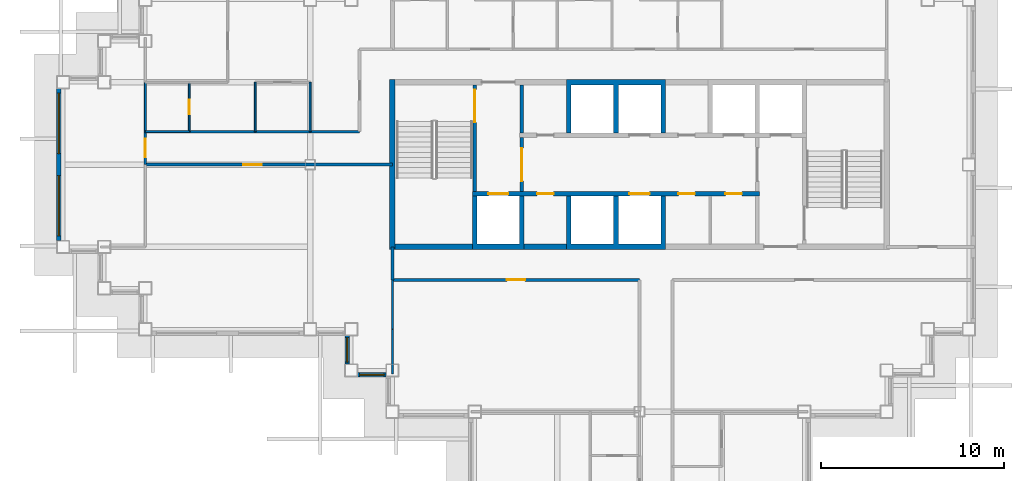
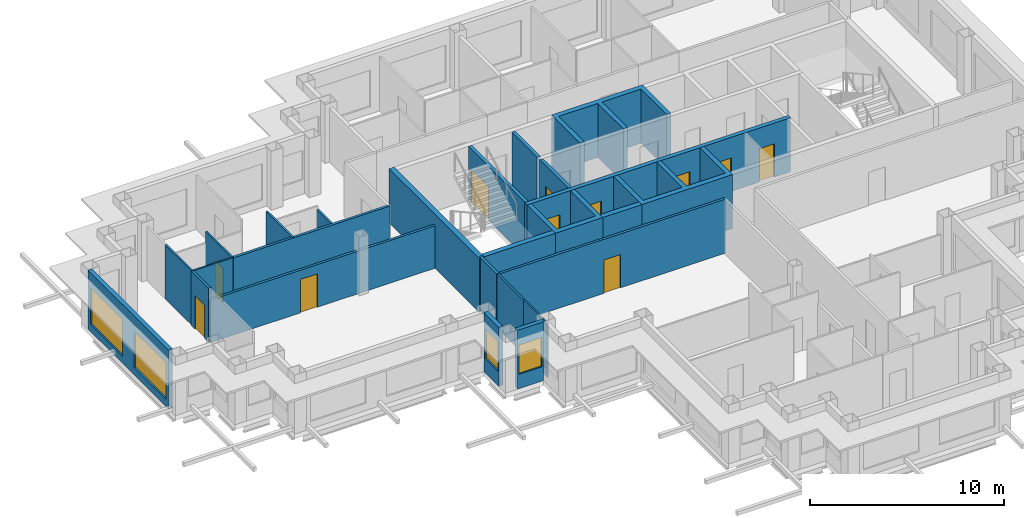
# One storey, part 3 of 12: 25 walls, 11 doors, 4 windows, 15 openings.
"""IFC4 building model written with IfcOpenShell, lengths in metres."""

from ifc_helpers import new_model, si_unit, direction, frame, frame_2d, origin, place, context, subcontext, project, spatial, polyline, rectangle, outline, extrude, material, layer, layer_set, type_object, element, fill, save


model = new_model("IFC4")

# Units and contexts
model_context = context("Model", 3, precision=1e-05, world=origin(), true_north=direction((0.0, 1.0)))
body_context = subcontext(model_context, "Body", "Model", "MODEL_VIEW")
ifc_project = project(units=[si_unit("LENGTHUNIT", "METRE"), si_unit("AREAUNIT", "SQUARE_METRE"), si_unit("VOLUMEUNIT", "CUBIC_METRE"), si_unit("PLANEANGLEUNIT", "RADIAN"), si_unit("MASSUNIT", "GRAM", prefix="KILO")], contexts=[model_context])

# Site, building, storey
site_placement = place(None, origin())
site = spatial("IfcSite", under=ifc_project, at=site_placement, CompositionType="ELEMENT")
building_placement = place(site_placement, origin())
building = spatial("IfcBuilding", under=site, at=building_placement, Name="Caravel Reach Hotel and Residences", CompositionType="ELEMENT")
storey_placement = place(building_placement, frame((0.0, 0.0, 203.5)))
storey = spatial("IfcBuildingStorey", under=building, at=storey_placement, Name="L51", CompositionType="ELEMENT", Elevation=203.5)

# Walls
ifc_material_1 = material(Name="Gypsum board on steel stud", Category="steel")
ifc_layer_1 = layer(ifc_material_1, 0.10009765625)
ifc_layer_set_1 = layer_set([ifc_layer_1], Name="Bathroom pod wall 100 mm")
wall_type_1 = type_object("IfcWallType", Name="Bathroom pod wall 100 mm", PredefinedType="PARTITIONING", material=ifc_layer_set_1)
wall_1_placement = place(storey_placement, frame((4.5, 28.800048828125, 0.0), z_axis=(0.0, 0.0, 1.0), x_axis=(1.0, 0.0, 0.0)))
element("IfcWall", 1, at=wall_1_placement, inside=storey, type_object=wall_type_1, Name="L51 wall w066", PredefinedType="PARTITIONING", context=body_context, shape_type="SweptSolid", body=[
    extrude(rectangle(XDim=2.39990234375, YDim=0.10009765625, at=frame_2d((1.199951171875, 0.0))), origin(), (0.0, 0.0, 1.0), 3.39990234375),
])
wall_2_placement = place(storey_placement, frame((4.5, 28.800048828125, 0.0), z_axis=(0.0, 0.0, 1.0), x_axis=(0.0, 1.0, 0.0)))
element("IfcWall", 2, at=wall_2_placement, inside=storey, type_object=wall_type_1, Name="L51 wall w082", PredefinedType="PARTITIONING", context=body_context, shape_type="SweptSolid", body=[
    extrude(rectangle(XDim=2.699951171875, YDim=0.10009765625, at=frame_2d((1.35009765625, 0.0))), origin(), (0.0, 0.0, 1.0), 3.39990234375),
])

# Wall, opening, door
wall_3_placement = place(storey_placement, frame((6.89990234375, 28.800048828125, 0.0), z_axis=(0.0, 0.0, 1.0), x_axis=(0.0, 1.0, 0.0)))
wall_3 = element("IfcWall", 3, at=wall_3_placement, inside=storey, type_object=wall_type_1, Name="L51 wall w083", PredefinedType="PARTITIONING", context=body_context, shape_type="SweptSolid", body=[
    extrude(rectangle(XDim=2.699951171875, YDim=0.10009765625, at=frame_2d((1.35009765625, 0.0))), origin(), (0.0, 0.0, 1.0), 3.39990234375),
])
opening_1_placement = place(wall_3_placement, frame((0.949951171875, 0.0, 0.0)))
opening_1 = element("IfcOpeningElement", 4, at=opening_1_placement, cuts=wall_3, Name="Opening D51-027", PredefinedType="OPENING", context=body_context, shape_type="SweptSolid", body=[
    extrude(rectangle(XDim=0.800048828125, YDim=2.10009765625, at=frame_2d((0.39990234375, 1.050048828125))), frame((0.0, 0.06005859375, 0.0), z_axis=(0.0, -1.0, 0.0), x_axis=(1.0, 0.0, 0.0)), (0.0, 0.0, 1.0), 0.1201171875),
])
ifc_material_2 = material(Name="Timber and steel door leaf", Category="steel")
door_type_1 = type_object("IfcDoorType", Name="Bathroom door 800 x 2100", OperationType="SINGLE_SWING_LEFT", PredefinedType="DOOR", material=ifc_material_2)
door_1_placement = place(opening_1_placement, origin())
door_1 = element("IfcDoor", 5, at=door_1_placement, inside=storey, type_object=door_type_1, Name="door D51-027", OperationType="SINGLE_SWING_LEFT", OverallHeight=2.10009765625, OverallWidth=0.800048828125, PredefinedType="DOOR", context=body_context, shape_type="SweptSolid", body=[
    extrude(rectangle(XDim=0.800048828125, YDim=2.10009765625, at=frame_2d((0.39990234375, 1.050048828125))), frame((0.0, 0.02490234375, 0.0), z_axis=(0.0, -1.0, 0.0), x_axis=(1.0, 0.0, 0.0)), (0.0, 0.0, 1.0), 0.050048828125),
])
fill(opening_1, door_1)

# Walls
ifc_material_3 = material(Name="Autoclaved aerated block wall")
ifc_layer_2 = layer(ifc_material_3, 0.199951171875)
ifc_layer_set_2 = layer_set([ifc_layer_2], Name="Compartment wall 200 mm EI 120")
wall_type_2 = type_object("IfcWallType", Name="Compartment wall 200 mm EI 120", PredefinedType="PARTITIONING", material=ifc_layer_set_2)
wall_4_placement = place(storey_placement, frame((25.071533203125, 28.72509765625, 0.0), z_axis=(0.0, 0.0, 1.0), x_axis=(0.0, 1.0, 0.0)))
element("IfcWall", 6, at=wall_4_placement, inside=storey, type_object=wall_type_2, Name="L51 store partition", PredefinedType="PARTITIONING", context=body_context, shape_type="SweptSolid", body=[
    extrude(rectangle(XDim=2.625, YDim=0.199951171875, at=frame_2d((1.3125, 0.0))), origin(), (0.0, 0.0, 1.0), 3.39990234375),
])
ifc_material_4 = material(Name="Concrete C60", Category="concrete")
ifc_layer_3 = layer(ifc_material_4, 0.300048828125)
ifc_layer_set_3 = layer_set([ifc_layer_3], Name="Core wall 300 mm EI 120")
wall_type_3 = type_object("IfcWallType", Name="Core wall 300 mm EI 120", PredefinedType="SHEAR", material=ifc_layer_set_3)
wall_5_placement = place(storey_placement, frame((18.14990234375, 22.5, 0.0), z_axis=(0.0, 0.0, 1.0), x_axis=(1.0, 0.0, 0.0)))
element("IfcWall", 7, at=wall_5_placement, inside=storey, type_object=wall_type_3, Name="L51 core wall S1", PredefinedType="SHEAR", context=body_context, shape_type="SweptSolid", body=[
    extrude(rectangle(XDim=4.22509765625, YDim=0.300048828125, at=frame_2d((2.112548828125, 0.0))), origin(), (0.0, 0.0, 1.0), 3.39990234375),
])
wall_6_placement = place(storey_placement, frame((25.196533203125, 22.5, 0.0), z_axis=(0.0, 0.0, 1.0), x_axis=(1.0, 0.0, 0.0)))
element("IfcWall", 8, at=wall_6_placement, inside=storey, type_object=wall_type_3, Name="L51 core wall S2", PredefinedType="SHEAR", context=body_context, shape_type="SweptSolid", body=[
    extrude(rectangle(XDim=2.3212890625, YDim=0.300048828125, at=frame_2d((1.16064453125, 0.0))), origin(), (0.0, 0.0, 1.0), 3.39990234375),
])
wall_7_placement = place(storey_placement, frame((18.0, 22.35009765625, 0.0), z_axis=(0.0, 0.0, 1.0), x_axis=(0.0, 1.0, 0.0)))
element("IfcWall", 9, at=wall_7_placement, inside=storey, type_object=wall_type_3, Name="L51 core wall W", PredefinedType="SHEAR", context=body_context, shape_type="SweptSolid", body=[
    extrude(rectangle(XDim=9.2998046875, YDim=0.300048828125, at=frame_2d((4.64990234375, 0.0))), origin(), (0.0, 0.0, 1.0), 3.39990234375),
])

# Wall, opening, door
ifc_material_5 = material(Name="Gypsum board on steel stud, fire-rated", Category="steel")
ifc_layer_4 = layer(ifc_material_5, 0.14990234375)
ifc_layer_set_4 = layer_set([ifc_layer_4], Name="Corridor wall 150 mm EI 60")
wall_type_4 = type_object("IfcWallType", Name="Corridor wall 150 mm EI 60", PredefinedType="PARTITIONING", material=ifc_layer_set_4)
wall_8_placement = place(storey_placement, frame((18.0, 20.699951171875, 0.0), z_axis=(0.0, 0.0, 1.0), x_axis=(1.0, 0.0, 0.0)))
wall_8 = element("IfcWall", 10, at=wall_8_placement, inside=storey, type_object=wall_type_4, Name="L51 wall w004", PredefinedType="PARTITIONING", context=body_context, shape_type="SweptSolid", body=[
    extrude(rectangle(XDim=13.5, YDim=0.14990234375, at=frame_2d((6.75, 0.0))), origin(), (0.0, 0.0, 1.0), 3.39990234375),
])
opening_2_placement = place(wall_8_placement, frame((6.25, 0.0, 0.0)))
opening_2 = element("IfcOpeningElement", 11, at=opening_2_placement, cuts=wall_8, Name="Opening D51-031", PredefinedType="OPENING", context=body_context, shape_type="SweptSolid", body=[
    extrude(rectangle(XDim=1.0, YDim=2.10009765625, at=frame_2d((0.5, 1.050048828125))), frame((0.0, 0.0849609375, 0.0), z_axis=(0.0, -1.0, 0.0), x_axis=(1.0, 0.0, 0.0)), (0.0, 0.0, 1.0), 0.169921875),
])
ifc_material_6 = material(Name="Steel fire door leaf", Category="steel")
door_type_2 = type_object("IfcDoorType", Name="Fire door 1000 x 2100 EI 60", OperationType="SINGLE_SWING_LEFT", PredefinedType="DOOR", material=ifc_material_6)
door_2_placement = place(opening_2_placement, origin())
door_2 = element("IfcDoor", 12, at=door_2_placement, inside=storey, type_object=door_type_2, Name="door D51-031", OperationType="SINGLE_SWING_RIGHT", OverallHeight=2.10009765625, OverallWidth=1.0, PredefinedType="DOOR", context=body_context, shape_type="SweptSolid", body=[
    extrude(rectangle(XDim=1.0, YDim=2.10009765625, at=frame_2d((0.5, 1.050048828125))), frame((0.0, 0.02490234375, 0.0), z_axis=(0.0, -1.0, 0.0), x_axis=(1.0, 0.0, 0.0)), (0.0, 0.0, 1.0), 0.050048828125),
])
fill(opening_2, door_2)

wall_9_placement = place(storey_placement, frame((4.5, 27.0, 0.0), z_axis=(0.0, 0.0, 1.0), x_axis=(1.0, 0.0, 0.0)))
wall_9 = element("IfcWall", 13, at=wall_9_placement, inside=storey, type_object=wall_type_4, Name="L51 wall w006", PredefinedType="PARTITIONING", context=body_context, shape_type="SweptSolid", body=[
    extrude(rectangle(XDim=13.5, YDim=0.14990234375, at=frame_2d((6.75, 0.0))), origin(), (0.0, 0.0, 1.0), 2.679931640625),
])
opening_3_placement = place(wall_9_placement, frame((5.35009765625, 0.0, 0.0)))
opening_3 = element("IfcOpeningElement", 14, at=opening_3_placement, cuts=wall_9, Name="Opening D51-030", PredefinedType="OPENING", context=body_context, shape_type="SweptSolid", body=[
    extrude(rectangle(XDim=1.0, YDim=2.10009765625, at=frame_2d((0.5, 1.050048828125))), frame((0.0, 0.0849609375, 0.0), z_axis=(0.0, -1.0, 0.0), x_axis=(1.0, 0.0, 0.0)), (0.0, 0.0, 1.0), 0.169921875),
])
door_3_placement = place(opening_3_placement, origin())
door_3 = element("IfcDoor", 15, at=door_3_placement, inside=storey, type_object=door_type_2, Name="door D51-030", OperationType="SINGLE_SWING_LEFT", OverallHeight=2.10009765625, OverallWidth=1.0, PredefinedType="DOOR", context=body_context, shape_type="SweptSolid", body=[
    extrude(rectangle(XDim=1.0, YDim=2.10009765625, at=frame_2d((0.5, 1.050048828125))), frame((0.0, 0.02490234375, 0.0), z_axis=(0.0, -1.0, 0.0), x_axis=(1.0, 0.0, 0.0)), (0.0, 0.0, 1.0), 0.050048828125),
])
fill(opening_3, door_3)

# Walls
wall_10_placement = place(storey_placement, frame((6.89990234375, 28.800048828125, 0.0), z_axis=(0.0, 0.0, 1.0), x_axis=(1.0, 0.0, 0.0)))
element("IfcWall", 16, at=wall_10_placement, inside=storey, type_object=wall_type_4, Name="L51 wall w007", PredefinedType="PARTITIONING", context=body_context, shape_type="SweptSolid", body=[
    extrude(rectangle(XDim=9.299072265625, YDim=0.14990234375, at=frame_2d((4.6494140625, 0.0))), origin(), (0.0, 0.0, 1.0), 3.39990234375),
])
wall_11_placement = place(storey_placement, frame((18.0, 20.699951171875, 0.0), z_axis=(0.0, 0.0, 1.0), x_axis=(0.0, 1.0, 0.0)))
element("IfcWall", 17, at=wall_11_placement, inside=storey, type_object=wall_type_4, Name="L51 wall w018", PredefinedType="PARTITIONING", context=body_context, shape_type="SweptSolid", body=[
    extrude(rectangle(XDim=1.800048828125, YDim=0.14990234375, at=frame_2d((0.89990234375, 0.0))), origin(), (0.0, 0.0, 1.0), 3.39990234375),
])

# Wall, opening, door
wall_12_placement = place(storey_placement, frame((4.5, 27.0, 0.0), z_axis=(0.0, 0.0, 1.0), x_axis=(0.0, 1.0, 0.0)))
wall_12 = element("IfcWall", 18, at=wall_12_placement, inside=storey, type_object=wall_type_4, Name="L51 wall w025", PredefinedType="PARTITIONING", context=body_context, shape_type="SweptSolid", body=[
    extrude(rectangle(XDim=1.800048828125, YDim=0.14990234375, at=frame_2d((0.89990234375, 0.0))), origin(), (0.0, 0.0, 1.0), 3.39990234375),
])
opening_4_placement = place(wall_12_placement, frame((0.39990234375, 0.0, 0.0)))
opening_4 = element("IfcOpeningElement", 19, at=opening_4_placement, cuts=wall_12, Name="Opening D51-041", PredefinedType="OPENING", context=body_context, shape_type="SweptSolid", body=[
    extrude(rectangle(XDim=1.0, YDim=2.10009765625, at=frame_2d((0.5, 1.050048828125))), frame((0.0, 0.0849609375, 0.0), z_axis=(0.0, -1.0, 0.0), x_axis=(1.0, 0.0, 0.0)), (0.0, 0.0, 1.0), 0.169921875),
])
door_4_placement = place(opening_4_placement, origin())
door_4 = element("IfcDoor", 20, at=door_4_placement, inside=storey, type_object=door_type_2, Name="door D51-041", OperationType="SINGLE_SWING_LEFT", OverallHeight=2.10009765625, OverallWidth=1.0, PredefinedType="DOOR", context=body_context, shape_type="SweptSolid", body=[
    extrude(rectangle(XDim=1.0, YDim=2.10009765625, at=frame_2d((0.5, 1.050048828125))), frame((0.0, 0.02490234375, 0.0), z_axis=(0.0, -1.0, 0.0), x_axis=(1.0, 0.0, 0.0)), (0.0, 0.0, 1.0), 0.050048828125),
])
fill(opening_4, door_4)

# Wall, openings, windows
ifc_material_7 = material(Name="Insulated rainscreen wall, aluminium cladding", Category="aluminium")
ifc_layer_5 = layer(ifc_material_7, 0.25)
ifc_layer_set_5 = layer_set([ifc_layer_5], Name="EW1 Tower rainscreen wall")
wall_type_5 = type_object("IfcWallType", Name="EW1 Tower rainscreen wall", PredefinedType="SOLIDWALL", material=ifc_layer_set_5)
wall_13_placement = place(storey_placement, frame((-0.22509765625, 31.14990234375, 0.0), z_axis=(0.0, 0.0, 1.0), x_axis=(0.0, -1.0, 0.0)))
wall_13 = element("IfcWall", 21, at=wall_13_placement, inside=storey, type_object=wall_type_5, Name="External wall L51 W20.1", PredefinedType="SOLIDWALL", context=body_context, shape_type="SweptSolid", body=[
    extrude(rectangle(XDim=8.2998046875, YDim=0.25, at=frame_2d((4.14990234375, 0.0))), origin(), (0.0, 0.0, 1.0), 3.699951171875),
])
opening_5_placement = place(wall_13_placement, frame((0.25, 0.0, 0.449951171875)))
opening_5 = element("IfcOpeningElement", 22, at=opening_5_placement, cuts=wall_13, Name="Opening WN15", PredefinedType="OPENING", context=body_context, shape_type="SweptSolid", body=[
    extrude(rectangle(XDim=3.300048828125, YDim=2.300048828125, at=frame_2d((1.64990234375, 1.14990234375))), frame((0.0, 0.135009765625, 0.0), z_axis=(0.0, -1.0, 0.0), x_axis=(1.0, 0.0, 0.0)), (0.0, 0.0, 1.0), 0.27001953125),
])
opening_6_placement = place(wall_13_placement, frame((4.75, 0.0, 0.449951171875)))
opening_6 = element("IfcOpeningElement", 23, at=opening_6_placement, cuts=wall_13, Name="Opening WN15", PredefinedType="OPENING", context=body_context, shape_type="SweptSolid", body=[
    extrude(rectangle(XDim=3.300048828125, YDim=2.300048828125, at=frame_2d((1.64990234375, 1.14990234375))), frame((0.0, 0.135009765625, 0.0), z_axis=(0.0, -1.0, 0.0), x_axis=(1.0, 0.0, 0.0)), (0.0, 0.0, 1.0), 0.27001953125),
])
ifc_material_8 = material(Name="Dark low-e glazing in black aluminium frame", Category="aluminium")
window_type_1 = type_object("IfcWindowType", Name="Residence living window 3300 x 2300", PartitioningType="SINGLE_PANEL", PredefinedType="WINDOW", material=ifc_material_8)
window_1_placement = place(opening_5_placement, origin())
window_1 = element("IfcWindow", 24, at=window_1_placement, inside=storey, type_object=window_type_1, Name="Window L51 W20.1.1", OverallHeight=2.300048828125, OverallWidth=3.300048828125, PartitioningType="SINGLE_PANEL", PredefinedType="WINDOW", context=body_context, shape_type="SweptSolid", body=[
    extrude(rectangle(XDim=3.300048828125, YDim=2.300048828125, at=frame_2d((1.64990234375, 1.14990234375))), frame((0.0, 0.030029296875, 0.0), z_axis=(0.0, -1.0, 0.0), x_axis=(1.0, 0.0, 0.0)), (0.0, 0.0, 1.0), 0.06005859375),
])
fill(opening_5, window_1)
window_2_placement = place(opening_6_placement, origin())
window_2 = element("IfcWindow", 25, at=window_2_placement, inside=storey, type_object=window_type_1, Name="Window L51 W20.1.2", OverallHeight=2.300048828125, OverallWidth=3.300048828125, PartitioningType="SINGLE_PANEL", PredefinedType="WINDOW", context=body_context, shape_type="SweptSolid", body=[
    extrude(rectangle(XDim=3.300048828125, YDim=2.300048828125, at=frame_2d((1.64990234375, 1.14990234375))), frame((0.0, 0.030029296875, 0.0), z_axis=(0.0, -1.0, 0.0), x_axis=(1.0, 0.0, 0.0)), (0.0, 0.0, 1.0), 0.06005859375),
])
fill(opening_6, window_2)

# Wall, opening, window
wall_14_placement = place(storey_placement, frame((15.52490234375, 17.64990234375, 0.0), z_axis=(0.0, 0.0, 1.0), x_axis=(0.0, -1.0, 0.0)))
wall_14 = element("IfcWall", 26, at=wall_14_placement, inside=storey, type_object=wall_type_5, Name="External wall L51 W26.1", PredefinedType="SOLIDWALL", context=body_context, shape_type="SweptSolid", body=[
    extrude(rectangle(XDim=1.5498046875, YDim=0.25, at=frame_2d((0.77490234375, 0.0))), origin(), (0.0, 0.0, 1.0), 3.699951171875),
])
opening_7_placement = place(wall_14_placement, frame((0.10009765625, 0.0, 0.89990234375)))
opening_7 = element("IfcOpeningElement", 27, at=opening_7_placement, cuts=wall_14, Name="Opening WN21", PredefinedType="OPENING", context=body_context, shape_type="SweptSolid", body=[
    extrude(rectangle(XDim=1.35009765625, YDim=1.85009765625, at=frame_2d((0.675048828125, 0.925048828125))), frame((0.0, 0.135009765625, 0.0), z_axis=(0.0, -1.0, 0.0), x_axis=(1.0, 0.0, 0.0)), (0.0, 0.0, 1.0), 0.27001953125),
])
ifc_material_9 = material(Name="Dark low-e glazing in black aluminium frame", Category="aluminium")
window_type_2 = type_object("IfcWindowType", Name="Residence bedroom window 1350 x 1850", PartitioningType="SINGLE_PANEL", PredefinedType="WINDOW", material=ifc_material_9)
window_3_placement = place(opening_7_placement, origin())
window_3 = element("IfcWindow", 28, at=window_3_placement, inside=storey, type_object=window_type_2, Name="Window L51 W26.1.1", OverallHeight=1.85009765625, OverallWidth=1.35009765625, PartitioningType="SINGLE_PANEL", PredefinedType="WINDOW", context=body_context, shape_type="SweptSolid", body=[
    extrude(rectangle(XDim=1.35009765625, YDim=1.85009765625, at=frame_2d((0.675048828125, 0.925048828125))), frame((0.0, 0.030029296875, 0.0), z_axis=(0.0, -1.0, 0.0), x_axis=(1.0, 0.0, 0.0)), (0.0, 0.0, 1.0), 0.06005859375),
])
fill(opening_7, window_3)

wall_15_placement = place(storey_placement, frame((16.10009765625, 15.52490234375, 0.0), z_axis=(0.0, 0.0, 1.0), x_axis=(1.0, 0.0, 0.0)))
wall_15 = element("IfcWall", 29, at=wall_15_placement, inside=storey, type_object=wall_type_5, Name="External wall L51 S27.1", PredefinedType="SOLIDWALL", context=body_context, shape_type="SweptSolid", body=[
    extrude(rectangle(XDim=1.5498046875, YDim=0.25, at=frame_2d((0.77490234375, 0.0))), origin(), (0.0, 0.0, 1.0), 3.699951171875),
])
opening_8_placement = place(wall_15_placement, frame((0.10009765625, 0.0, 0.89990234375)))
opening_8 = element("IfcOpeningElement", 30, at=opening_8_placement, cuts=wall_15, Name="Opening WN21", PredefinedType="OPENING", context=body_context, shape_type="SweptSolid", body=[
    extrude(rectangle(XDim=1.35009765625, YDim=1.85009765625, at=frame_2d((0.675048828125, 0.925048828125))), frame((0.0, 0.135009765625, 0.0), z_axis=(0.0, -1.0, 0.0), x_axis=(1.0, 0.0, 0.0)), (0.0, 0.0, 1.0), 0.27001953125),
])
window_4_placement = place(opening_8_placement, origin())
window_4 = element("IfcWindow", 31, at=window_4_placement, inside=storey, type_object=window_type_2, Name="Window L51 S27.1.1", OverallHeight=1.85009765625, OverallWidth=1.35009765625, PartitioningType="SINGLE_PANEL", PredefinedType="WINDOW", context=body_context, shape_type="SweptSolid", body=[
    extrude(rectangle(XDim=1.35009765625, YDim=1.85009765625, at=frame_2d((0.675048828125, 0.925048828125))), frame((0.0, 0.030029296875, 0.0), z_axis=(0.0, -1.0, 0.0), x_axis=(1.0, 0.0, 0.0)), (0.0, 0.0, 1.0), 0.06005859375),
])
fill(opening_8, window_4)

# Wall, opening, door
ifc_material_10 = material(Name="Autoclaved aerated block wall")
ifc_layer_6 = layer(ifc_material_10, 0.199951171875)
ifc_layer_set_6 = layer_set([ifc_layer_6], Name="Fire lobby wall 200 mm EI 120")
wall_type_6 = type_object("IfcWallType", Name="Fire lobby wall 200 mm EI 120", PredefinedType="PARTITIONING", material=ifc_layer_set_6)
wall_16_placement = place(storey_placement, frame((25.071533203125, 25.52490234375, 0.0), z_axis=(0.0, 0.0, 1.0), x_axis=(0.0, 1.0, 0.0)))
wall_16 = element("IfcWall", 32, at=wall_16_placement, inside=storey, type_object=wall_type_6, Name="L51 lobby W wall", PredefinedType="PARTITIONING", context=body_context, shape_type="SweptSolid", body=[
    extrude(rectangle(XDim=2.9501953125, YDim=0.199951171875, at=frame_2d((1.47509765625, 0.0))), origin(), (0.0, 0.0, 1.0), 3.39990234375),
])
opening_9_placement = place(wall_16_placement, frame((0.574951171875, 0.0, 0.0)))
opening_9 = element("IfcOpeningElement", 33, at=opening_9_placement, cuts=wall_16, Name="Opening D51-013", PredefinedType="OPENING", context=body_context, shape_type="SweptSolid", body=[
    extrude(rectangle(XDim=1.800048828125, YDim=2.10009765625, at=frame_2d((0.89990234375, 1.050048828125))), frame((0.0, 0.10986328125, 0.0), z_axis=(0.0, -1.0, 0.0), x_axis=(1.0, 0.0, 0.0)), (0.0, 0.0, 1.0), 0.219970703125),
])
ifc_material_11 = material(Name="Steel fire door leaf", Category="steel")
door_type_3 = type_object("IfcDoorType", Name="Fire lobby door pair 1800 x 2100 EI 90", OperationType="DOUBLE_DOOR_SINGLE_SWING", PredefinedType="DOOR", material=ifc_material_11)
door_5_placement = place(opening_9_placement, origin())
door_5 = element("IfcDoor", 34, at=door_5_placement, inside=storey, type_object=door_type_3, Name="lobby W door pair", OperationType="DOUBLE_DOOR_SINGLE_SWING", OverallHeight=2.10009765625, OverallWidth=1.800048828125, PredefinedType="DOOR", context=body_context, shape_type="SweptSolid", body=[
    extrude(rectangle(XDim=1.800048828125, YDim=2.10009765625, at=frame_2d((0.89990234375, 1.050048828125))), frame((0.0, 0.02490234375, 0.0), z_axis=(0.0, -1.0, 0.0), x_axis=(1.0, 0.0, 0.0)), (0.0, 0.0, 1.0), 0.050048828125),
])
fill(opening_9, door_5)

# Walls
ifc_material_12 = material(Name="Gypsum board on steel stud", Category="steel")
ifc_layer_7 = layer(ifc_material_12, 0.10009765625)
ifc_layer_set_7 = layer_set([ifc_layer_7], Name="Partition 100 mm")
wall_type_7 = type_object("IfcWallType", Name="Partition 100 mm", PredefinedType="PARTITIONING", material=ifc_layer_set_7)
wall_17_placement = place(storey_placement, frame((10.5, 28.800048828125, 0.0), z_axis=(0.0, 0.0, 1.0), x_axis=(0.0, 1.0, 0.0)))
element("IfcWall", 35, at=wall_17_placement, inside=storey, type_object=wall_type_7, Name="L51 wall w044", PredefinedType="PARTITIONING", context=body_context, shape_type="SweptSolid", body=[
    extrude(rectangle(XDim=2.699951171875, YDim=0.10009765625, at=frame_2d((1.35009765625, 0.0))), origin(), (0.0, 0.0, 1.0), 3.39990234375),
])
wall_18_placement = place(storey_placement, frame((13.5, 28.801025390625, 0.0), z_axis=(0.0, 0.0, 1.0), x_axis=(0.0, 1.0, 0.0)))
element("IfcWall", 36, at=wall_18_placement, inside=storey, type_object=wall_type_7, Name="L51 wall w045", PredefinedType="PARTITIONING", context=body_context, shape_type="SweptSolid", body=[
    extrude(rectangle(XDim=2.698974609375, YDim=0.10009765625, at=frame_2d((1.349609375, 0.0))), origin(), (0.0, 0.0, 1.0), 2.47998046875),
])
wall_19_placement = place(storey_placement, frame((18.0, 15.56005859375, 0.0), z_axis=(0.0, 0.0, 1.0), x_axis=(0.0, 1.0, 0.0)))
element("IfcWall", 37, at=wall_19_placement, inside=storey, type_object=wall_type_7, Name="L51 wall w046", PredefinedType="PARTITIONING", context=body_context, shape_type="SweptSolid", body=[
    extrude(rectangle(XDim=2.43896484375, YDim=0.10009765625, at=frame_2d((1.219482421875, 0.0))), origin(), (0.0, 0.0, 1.0), 3.39990234375),
])
wall_20_placement = place(storey_placement, frame((18.0, 18.0, 0.0), z_axis=(0.0, 0.0, 1.0), x_axis=(0.0, 1.0, 0.0)))
element("IfcWall", 38, at=wall_20_placement, inside=storey, type_object=wall_type_7, Name="L51 wall w047", PredefinedType="PARTITIONING", context=body_context, shape_type="SweptSolid", body=[
    extrude(rectangle(XDim=2.699951171875, YDim=0.10009765625, at=frame_2d((1.35009765625, 0.0))), origin(), (0.0, 0.0, 1.0), 3.39990234375),
])
ifc_material_13 = material(Name="Concrete C60", Category="concrete")
ifc_layer_8 = layer(ifc_material_13, 0.25)
ifc_layer_set_8 = layer_set([ifc_layer_8], Name="Shaft wall 250 mm EI 120")
wall_type_8 = type_object("IfcWallType", Name="Shaft wall 250 mm EI 120", PredefinedType="SHEAR", material=ifc_layer_set_8)
wall_21_placement = place(storey_placement, origin())
element("IfcWall", 39, at=wall_21_placement, inside=storey, type_object=wall_type_8, Name="L51 lift shaft wall S1", PredefinedType="SHEAR", context=body_context, shape_type="SweptSolid", body=[
    extrude(outline(polyline([(22.375, 22.35009765625), (25.196533203125, 22.35009765625), (25.196533203125, 25.27490234375), (24.946533203125, 25.27490234375), (24.946533203125, 22.64990234375), (22.625, 22.64990234375), (22.625, 25.27490234375), (22.375, 25.27490234375), (22.375, 22.35009765625)])), origin(), (0.0, 0.0, 1.0), 3.39990234375),
])
wall_22_placement = place(storey_placement, origin())
element("IfcWall", 40, at=wall_22_placement, inside=storey, type_object=wall_type_8, Name="L51 lift shaft wall S2", PredefinedType="SHEAR", context=body_context, shape_type="SweptSolid", body=[
    extrude(outline(polyline([(27.517822265625, 22.35009765625), (32.91064453125, 22.35009765625), (32.91064453125, 25.27490234375), (32.66064453125, 25.27490234375), (32.66064453125, 22.64990234375), (30.33935546875, 22.64990234375), (30.33935546875, 25.27490234375), (30.08935546875, 25.27490234375), (30.08935546875, 22.64990234375), (27.767822265625, 22.64990234375), (27.767822265625, 25.27490234375), (27.517822265625, 25.27490234375), (27.517822265625, 22.35009765625)])), origin(), (0.0, 0.0, 1.0), 3.39990234375),
])
wall_23_placement = place(storey_placement, origin())
element("IfcWall", 41, at=wall_23_placement, inside=storey, type_object=wall_type_8, Name="L51 lift shaft wall N1", PredefinedType="SHEAR", context=body_context, shape_type="SweptSolid", body=[
    extrude(outline(polyline([(27.517822265625, 28.72509765625), (27.767822265625, 28.72509765625), (27.767822265625, 31.35009765625), (30.08935546875, 31.35009765625), (30.08935546875, 28.72509765625), (30.33935546875, 28.72509765625), (30.33935546875, 31.35009765625), (32.66064453125, 31.35009765625), (32.66064453125, 28.72509765625), (32.91064453125, 28.72509765625), (32.91064453125, 31.64990234375), (27.517822265625, 31.64990234375), (27.517822265625, 28.72509765625)])), origin(), (0.0, 0.0, 1.0), 3.39990234375),
])

# Wall, openings, doors
wall_24_placement = place(storey_placement, frame((22.375, 25.39990234375, 0.0), z_axis=(0.0, 0.0, 1.0), x_axis=(1.0, 0.0, 0.0)))
wall_24 = element("IfcWall", 42, at=wall_24_placement, inside=storey, type_object=wall_type_8, Name="L51 lobby wall S1", PredefinedType="SHEAR", context=body_context, shape_type="SweptSolid", body=[
    extrude(rectangle(XDim=15.678466796875, YDim=0.25, at=frame_2d((7.83935546875, 0.0))), origin(), (0.0, 0.0, 1.0), 3.39990234375),
])
opening_10_placement = place(wall_24_placement, frame((8.574951171875, 0.0, 0.0)))
opening_10 = element("IfcOpeningElement", 43, at=opening_10_placement, cuts=wall_24, Name="Opening D51-001", PredefinedType="OPENING", context=body_context, shape_type="SweptSolid", body=[
    extrude(rectangle(XDim=1.10009765625, YDim=2.10009765625, at=frame_2d((0.550048828125, 1.050048828125))), frame((0.0, 0.135009765625, 0.0), z_axis=(0.0, -1.0, 0.0), x_axis=(1.0, 0.0, 0.0)), (0.0, 0.0, 1.0), 0.27001953125),
])
opening_11_placement = place(wall_24_placement, frame((0.860595703125, 0.0, 0.0)))
opening_11 = element("IfcOpeningElement", 44, at=opening_11_placement, cuts=wall_24, Name="Opening D51-004", PredefinedType="OPENING", context=body_context, shape_type="SweptSolid", body=[
    extrude(rectangle(XDim=1.10009765625, YDim=2.10009765625, at=frame_2d((0.550048828125, 1.050048828125))), frame((0.0, 0.135009765625, 0.0), z_axis=(0.0, -1.0, 0.0), x_axis=(1.0, 0.0, 0.0)), (0.0, 0.0, 1.0), 0.27001953125),
])
opening_12_placement = place(wall_24_placement, frame((3.531982421875, 0.0, 0.0)))
opening_12 = element("IfcOpeningElement", 45, at=opening_12_placement, cuts=wall_24, Name="Opening D51-006", PredefinedType="OPENING", context=body_context, shape_type="SweptSolid", body=[
    extrude(rectangle(XDim=0.89990234375, YDim=2.10009765625, at=frame_2d((0.449951171875, 1.050048828125))), frame((0.0, 0.135009765625, 0.0), z_axis=(0.0, -1.0, 0.0), x_axis=(1.0, 0.0, 0.0)), (0.0, 0.0, 1.0), 0.27001953125),
])
opening_13_placement = place(wall_24_placement, frame((11.246337890625, 0.0, 0.0)))
opening_13 = element("IfcOpeningElement", 46, at=opening_13_placement, cuts=wall_24, Name="Opening D51-007", PredefinedType="OPENING", context=body_context, shape_type="SweptSolid", body=[
    extrude(rectangle(XDim=0.89990234375, YDim=2.10009765625, at=frame_2d((0.449951171875, 1.050048828125))), frame((0.0, 0.135009765625, 0.0), z_axis=(0.0, -1.0, 0.0), x_axis=(1.0, 0.0, 0.0)), (0.0, 0.0, 1.0), 0.27001953125),
])
opening_14_placement = place(wall_24_placement, frame((13.81787109375, 0.0, 0.0)))
opening_14 = element("IfcOpeningElement", 47, at=opening_14_placement, cuts=wall_24, Name="Opening D51-008", PredefinedType="OPENING", context=body_context, shape_type="SweptSolid", body=[
    extrude(rectangle(XDim=0.89990234375, YDim=2.10009765625, at=frame_2d((0.449951171875, 1.050048828125))), frame((0.0, 0.135009765625, 0.0), z_axis=(0.0, -1.0, 0.0), x_axis=(1.0, 0.0, 0.0)), (0.0, 0.0, 1.0), 0.27001953125),
])
ifc_material_14 = material(Name="Stainless steel landing door", Category="steel")
door_type_4 = type_object("IfcDoorType", Name="Landing door LD 1100 x 2100 sliding", OperationType="DOUBLE_DOOR_SLIDING", PredefinedType="DOOR", material=ifc_material_14)
door_6_placement = place(opening_10_placement, origin())
door_6 = element("IfcDoor", 48, at=door_6_placement, inside=storey, type_object=door_type_4, Name="MP1 landing door", OperationType="DOUBLE_DOOR_SLIDING", OverallHeight=2.10009765625, OverallWidth=1.10009765625, PredefinedType="DOOR", context=body_context, shape_type="SweptSolid", body=[
    extrude(rectangle(XDim=1.10009765625, YDim=2.10009765625, at=frame_2d((0.550048828125, 1.050048828125))), frame((0.0, 0.02490234375, 0.0), z_axis=(0.0, -1.0, 0.0), x_axis=(1.0, 0.0, 0.0)), (0.0, 0.0, 1.0), 0.050048828125),
])
fill(opening_10, door_6)
door_7_placement = place(opening_11_placement, origin())
door_7 = element("IfcDoor", 49, at=door_7_placement, inside=storey, type_object=door_type_4, Name="FL1 landing door", OperationType="DOUBLE_DOOR_SLIDING", OverallHeight=2.10009765625, OverallWidth=1.10009765625, PredefinedType="DOOR", context=body_context, shape_type="SweptSolid", body=[
    extrude(rectangle(XDim=1.10009765625, YDim=2.10009765625, at=frame_2d((0.550048828125, 1.050048828125))), frame((0.0, 0.02490234375, 0.0), z_axis=(0.0, -1.0, 0.0), x_axis=(1.0, 0.0, 0.0)), (0.0, 0.0, 1.0), 0.050048828125),
])
fill(opening_11, door_7)
ifc_material_15 = material(Name="Steel fire door leaf", Category="steel")
door_type_5 = type_object("IfcDoorType", Name="Riser door 900 x 2100 EI 60", OperationType="SINGLE_SWING_LEFT", PredefinedType="DOOR", material=ifc_material_15)
door_8_placement = place(opening_12_placement, origin())
door_8 = element("IfcDoor", 50, at=door_8_placement, inside=storey, type_object=door_type_5, Name="Water tank room door", OperationType="SINGLE_SWING_LEFT", OverallHeight=2.10009765625, OverallWidth=0.89990234375, PredefinedType="DOOR", context=body_context, shape_type="SweptSolid", body=[
    extrude(rectangle(XDim=0.89990234375, YDim=2.10009765625, at=frame_2d((0.449951171875, 1.050048828125))), frame((0.0, 0.02490234375, 0.0), z_axis=(0.0, -1.0, 0.0), x_axis=(1.0, 0.0, 0.0)), (0.0, 0.0, 1.0), 0.050048828125),
])
fill(opening_12, door_8)
door_9_placement = place(opening_13_placement, origin())
door_9 = element("IfcDoor", 51, at=door_9_placement, inside=storey, type_object=door_type_5, Name="Telecom room door", OperationType="SINGLE_SWING_LEFT", OverallHeight=2.10009765625, OverallWidth=0.89990234375, PredefinedType="DOOR", context=body_context, shape_type="SweptSolid", body=[
    extrude(rectangle(XDim=0.89990234375, YDim=2.10009765625, at=frame_2d((0.449951171875, 1.050048828125))), frame((0.0, 0.02490234375, 0.0), z_axis=(0.0, -1.0, 0.0), x_axis=(1.0, 0.0, 0.0)), (0.0, 0.0, 1.0), 0.050048828125),
])
fill(opening_13, door_9)
door_10_placement = place(opening_14_placement, origin())
door_10 = element("IfcDoor", 52, at=door_10_placement, inside=storey, type_object=door_type_5, Name="Recycling store door", OperationType="SINGLE_SWING_LEFT", OverallHeight=2.10009765625, OverallWidth=0.89990234375, PredefinedType="DOOR", context=body_context, shape_type="SweptSolid", body=[
    extrude(rectangle(XDim=0.89990234375, YDim=2.10009765625, at=frame_2d((0.449951171875, 1.050048828125))), frame((0.0, 0.02490234375, 0.0), z_axis=(0.0, -1.0, 0.0), x_axis=(1.0, 0.0, 0.0)), (0.0, 0.0, 1.0), 0.050048828125),
])
fill(opening_14, door_10)

# Wall, opening, door
ifc_material_16 = material(Name="Concrete C60", Category="concrete")
ifc_layer_9 = layer(ifc_material_16, 0.199951171875)
ifc_layer_set_9 = layer_set([ifc_layer_9], Name="Stair enclosure wall 200 mm EI 120")
wall_type_9 = type_object("IfcWallType", Name="Stair enclosure wall 200 mm EI 120", PredefinedType="SHEAR", material=ifc_layer_set_9)
wall_25_placement = place(storey_placement, frame((22.5, 31.35009765625, 0.0), z_axis=(0.0, 0.0, 1.0), x_axis=(0.0, -1.0, 0.0)))
wall_25 = element("IfcWall", 53, at=wall_25_placement, inside=storey, type_object=wall_type_9, Name="L51 stair A wall", PredefinedType="SHEAR", context=body_context, shape_type="SweptSolid", body=[
    extrude(rectangle(XDim=5.8251953125, YDim=0.199951171875, at=frame_2d((2.91259765625, 0.0))), origin(), (0.0, 0.0, 1.0), 3.39990234375),
])
opening_15_placement = place(wall_25_placement, frame((0.25, 0.0, 0.0)))
opening_15 = element("IfcOpeningElement", 54, at=opening_15_placement, cuts=wall_25, Name="Opening D51-011", PredefinedType="OPENING", context=body_context, shape_type="SweptSolid", body=[
    extrude(rectangle(XDim=1.800048828125, YDim=2.10009765625, at=frame_2d((0.89990234375, 1.050048828125))), frame((0.0, 0.10986328125, 0.0), z_axis=(0.0, -1.0, 0.0), x_axis=(1.0, 0.0, 0.0)), (0.0, 0.0, 1.0), 0.219970703125),
])
ifc_material_17 = material(Name="Steel fire door leaf", Category="steel")
door_type_6 = type_object("IfcDoorType", Name="Stair door pair 1800 x 2100 EI 90", OperationType="DOUBLE_DOOR_SINGLE_SWING", PredefinedType="DOOR", material=ifc_material_17)
door_11_placement = place(opening_15_placement, origin())
door_11 = element("IfcDoor", 55, at=door_11_placement, inside=storey, type_object=door_type_6, Name="stair A door pair", OperationType="DOUBLE_DOOR_SINGLE_SWING", OverallHeight=2.10009765625, OverallWidth=1.800048828125, PredefinedType="DOOR", context=body_context, shape_type="SweptSolid", body=[
    extrude(rectangle(XDim=1.800048828125, YDim=2.10009765625, at=frame_2d((0.89990234375, 1.050048828125))), frame((0.0, 0.02490234375, 0.0), z_axis=(0.0, -1.0, 0.0), x_axis=(1.0, 0.0, 0.0)), (0.0, 0.0, 1.0), 0.050048828125),
])
fill(opening_15, door_11)

save(model, "model.ifc")
